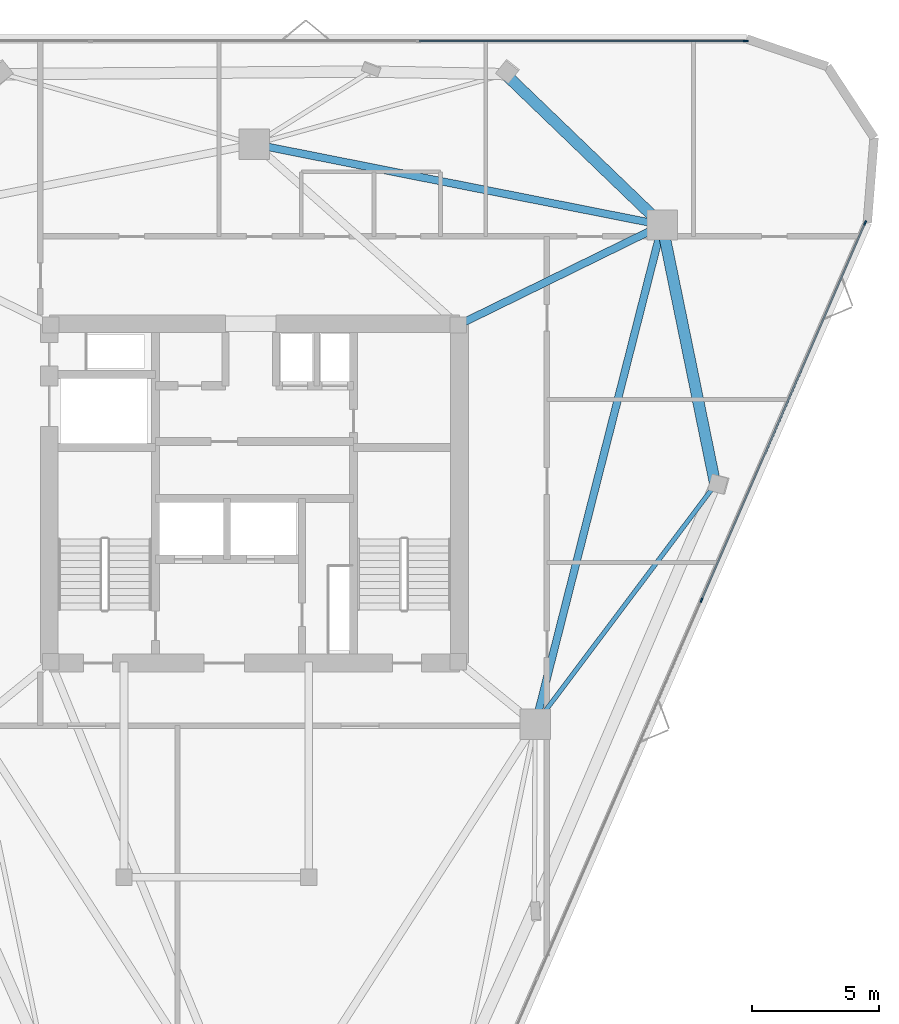
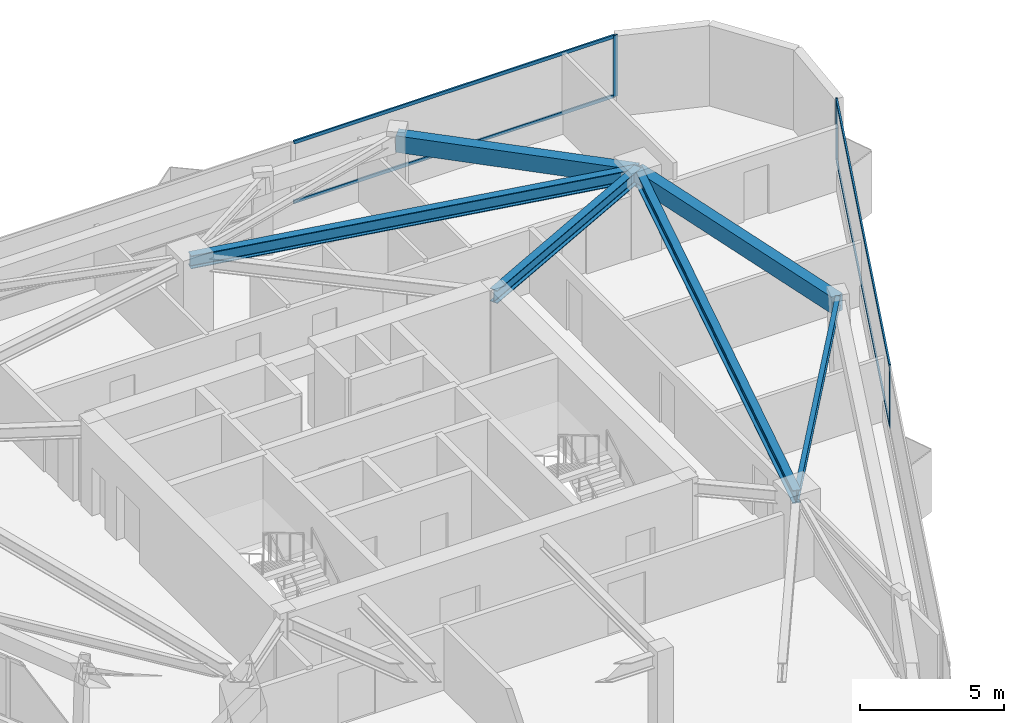
# One storey, part 6 of 10: 7 members, 6 beams, 2 elements without a shape of their own.
"""IFC4 building model written with IfcOpenShell, lengths in metres."""

from ifc_helpers import new_model, si_unit, direction, frame, origin, origin_2d, place, context, subcontext, project, spatial, rectangle, i_section, extrude, material, layer, layer_set, material_profile, profile_set, type_object, element, aggregate, save


model = new_model("IFC4")

# Units and contexts
model_context = context("Model", 3, precision=1e-05, world=origin(), true_north=direction((0.0, 1.0)))
body_context = subcontext(model_context, "Body", "Model", "MODEL_VIEW")
ifc_project = project(units=[si_unit("LENGTHUNIT", "METRE"), si_unit("AREAUNIT", "SQUARE_METRE"), si_unit("VOLUMEUNIT", "CUBIC_METRE"), si_unit("PLANEANGLEUNIT", "RADIAN"), si_unit("MASSUNIT", "GRAM", prefix="KILO")], contexts=[model_context])

# Site, building, storey
site_placement = place(None, origin())
site = spatial("IfcSite", under=ifc_project, at=site_placement, CompositionType="ELEMENT")
building_placement = place(site_placement, origin())
building = spatial("IfcBuilding", under=site, at=building_placement, Name="Talyreon Biosciences Tower", CompositionType="ELEMENT")
storey_placement = place(building_placement, frame((0.0, 0.0, 231.60009765625)))
storey = spatial("IfcBuildingStorey", under=building, at=storey_placement, Name="L61", CompositionType="ELEMENT", Elevation=231.60009765625)

# Curtain wall, member
ifc_material_1 = material(Name="Thermally broken aluminium and low-E glazing", Category="aluminium")
ifc_layer = layer(ifc_material_1, 0.175048828125)
ifc_layer_set = layer_set([ifc_layer], Name="Thermally broken aluminium and low-E glazing")
curtain_wall_type = type_object("IfcCurtainWallType", Name="CurtainWall_Zone5CompLab", PredefinedType="NOTDEFINED", material=ifc_layer_set)
curtain_wall_1_placement = place(storey_placement, origin())
curtain_wall_1 = element("IfcCurtainWall", 1, at=curtain_wall_1_placement, inside=storey, type_object=curtain_wall_type, Name="L61 Unitised Curtain Wall FCW-L61-04", PredefinedType="NOTDEFINED")
ifc_material_2 = material(Name="Anodised thermally broken aluminium", Category="aluminium")
ifc_material_profile_1 = material_profile(ifc_material_2, rectangle(XDim=0.06494140625, YDim=0.179931640625, at=origin_2d()), Name="ALUM MULLION 65x180")
ifc_profile_set_1 = profile_set([ifc_material_profile_1], Name="Anodised thermally broken aluminium")
member_type_1 = type_object("IfcMemberType", Name="CWMullion_65x180", PredefinedType="MULLION", material=ifc_profile_set_1)
member_1_placement = place(storey_placement, frame((85.402099609375, 85.87158203125, 0.809814453125), z_axis=(0.0, 0.0, 1.0), x_axis=(0.0, 1.0, 0.0)))
member_1 = element("IfcMember", 2, at=member_1_placement, type_object=member_type_1, Name="CW6 mullion 4", PredefinedType="MULLION", context=body_context, shape_type="SweptSolid", body=[
    extrude(rectangle(XDim=0.06494140625, YDim=0.179931640625, at=origin_2d()), origin(), (0.0, 0.0, 1.0), 2.590087890625),
])

# Curtain wall, members
curtain_wall_2_placement = place(storey_placement, origin())
curtain_wall_2 = element("IfcCurtainWall", 3, at=curtain_wall_2_placement, inside=storey, type_object=curtain_wall_type, Name="L61 Unitised Curtain Wall FCW-L61-08", PredefinedType="NOTDEFINED")
member_2_placement = place(storey_placement, frame((90.118408203125, 78.683349609375, 0.809814453125), z_axis=(0.0, 0.0, 1.0), x_axis=(0.917336640876, -0.398112405366, 0.0)))
member_2 = element("IfcMember", 4, at=member_2_placement, type_object=member_type_1, Name="CW6 mullion 1", PredefinedType="MULLION", context=body_context, shape_type="SweptSolid", body=[
    extrude(rectangle(XDim=0.06494140625, YDim=0.179931640625, at=origin_2d()), origin(), (0.0, 0.0, 1.0), 2.590087890625),
])
member_3_placement = place(storey_placement, frame((83.6533203125, 63.785888671875, 0.809814453125), z_axis=(0.0, 0.0, 1.0), x_axis=(0.917336640876, -0.398112405366, 0.0)))
member_3 = element("IfcMember", 5, at=member_3_placement, type_object=member_type_1, Name="CW6 mullion 2", PredefinedType="MULLION", context=body_context, shape_type="SweptSolid", body=[
    extrude(rectangle(XDim=0.06494140625, YDim=0.179931640625, at=origin_2d()), origin(), (0.0, 0.0, 1.0), 2.590087890625),
])

# Member
ifc_material_profile_2 = material_profile(ifc_material_2, rectangle(XDim=0.06494140625, YDim=0.139892578125, at=origin_2d()), Name="ALUM TRANSOM 65x140")
ifc_profile_set_2 = profile_set([ifc_material_profile_2], Name="Anodised thermally broken aluminium")
member_type_2 = type_object("IfcMemberType", Name="CWTransom_65x140", PredefinedType="USERDEFINED", material=ifc_profile_set_2)
member_4_placement = place(storey_placement, frame((72.5107421875, 85.87158203125, 0.84228515625), z_axis=(1.0, 0.0, 0.0), x_axis=(0.0, 1.0, 0.0)))
member_4 = element("IfcMember", 6, at=member_4_placement, type_object=member_type_2, Name="CW6 transom 3.1", ObjectType="TRANSOM", PredefinedType="USERDEFINED", context=body_context, shape_type="SweptSolid", body=[
    extrude(rectangle(XDim=0.06494140625, YDim=0.139892578125, at=origin_2d()), origin(), (0.0, 0.0, 1.0), 12.85888671875),
])

member_5_placement = place(storey_placement, frame((72.5107421875, 85.87158203125, 3.367431640625), z_axis=(1.0, 0.0, 0.0), x_axis=(0.0, 1.0, 0.0)))
member_5 = element("IfcMember", 7, at=member_5_placement, type_object=member_type_2, Name="CW6 transom 3.2", ObjectType="TRANSOM", PredefinedType="USERDEFINED", context=body_context, shape_type="SweptSolid", body=[
    extrude(rectangle(XDim=0.06494140625, YDim=0.139892578125, at=origin_2d()), origin(), (0.0, 0.0, 1.0), 12.85888671875),
])

aggregate(curtain_wall_1, [member_1, member_4, member_5])

member_6_placement = place(storey_placement, frame((90.10546875, 78.653564453125, 0.84228515625), z_axis=(-0.398099588732, -0.917342203025, 0.0), x_axis=(0.917342203025, -0.398099588732, 0.0)))
member_6 = element("IfcMember", 8, at=member_6_placement, type_object=member_type_2, Name="CW6 transom 1.1", ObjectType="TRANSOM", PredefinedType="USERDEFINED", context=body_context, shape_type="SweptSolid", body=[
    extrude(rectangle(XDim=0.06494140625, YDim=0.139892578125, at=origin_2d()), origin(), (0.0, 0.0, 1.0), 16.1748046875),
])

member_7_placement = place(storey_placement, frame((90.10546875, 78.653564453125, 3.367431640625), z_axis=(-0.398099588732, -0.917342203025, 0.0), x_axis=(0.917342203025, -0.398099588732, 0.0)))
member_7 = element("IfcMember", 9, at=member_7_placement, type_object=member_type_2, Name="CW6 transom 1.2", ObjectType="TRANSOM", PredefinedType="USERDEFINED", context=body_context, shape_type="SweptSolid", body=[
    extrude(rectangle(XDim=0.06494140625, YDim=0.139892578125, at=origin_2d()), origin(), (0.0, 0.0, 1.0), 16.1748046875),
])

aggregate(curtain_wall_2, [member_2, member_3, member_6, member_7])

# Beams
ifc_material_3 = material(Name="Precast concrete C45/55", Category="concrete")
ifc_material_profile_3 = material_profile(ifc_material_3, rectangle(XDim=0.449951171875, YDim=0.699951171875, at=origin_2d()), Name="RCB 450x700")
ifc_profile_set_3 = profile_set([ifc_material_profile_3], Name="Precast concrete C45/55")
beam_type_1 = type_object("IfcBeamType", Name="ExpressedSpandrel_450x700", PredefinedType="SPANDREL", material=ifc_profile_set_3)
beam_1_placement = place(storey_placement, frame((84.199462890625, 68.3505859375, 3.0498046875), z_axis=(-0.200485843973, 0.97969659914, 0.0), x_axis=(-0.97969659914, -0.200485843973, 0.0)))
element("IfcBeam", 10, at=beam_1_placement, inside=storey, type_object=beam_type_1, Name="L61 Expressed Horizontal Concrete Spandrel 04", PredefinedType="SPANDREL", context=body_context, shape_type="SweptSolid", body=[
    extrude(rectangle(XDim=0.449951171875, YDim=0.699951171875, at=origin_2d()), origin(), (0.0, 0.0, 1.0), 10.46044921875),
])
beam_2_placement = place(storey_placement, frame((82.102294921875, 78.5986328125, 3.0498046875), z_axis=(-0.720598272996, 0.693352817082, 0.0), x_axis=(-0.693352817082, -0.720598272996, 0.0)))
element("IfcBeam", 11, at=beam_2_placement, inside=storey, type_object=beam_type_1, Name="L61 Expressed Horizontal Concrete Spandrel 05", PredefinedType="SPANDREL", context=body_context, shape_type="SweptSolid", body=[
    extrude(rectangle(XDim=0.449951171875, YDim=0.699951171875, at=origin_2d()), origin(), (0.0, 0.0, 1.0), 8.593505859375),
])
ifc_material_4 = material(Name="Steel SM355", Category="steel")
ifc_material_profile_4 = material_profile(ifc_material_4, i_section(OverallWidth=0.300048828125, OverallDepth=0.550048828125, WebThickness=0.014892578125, FlangeThickness=0.029052734375, FilletRadius=0.027099609375, at=origin_2d()), Name="HE550B")
ifc_profile_set_4 = profile_set([ifc_material_profile_4], Name="Steel SM355")
beam_type_2 = type_object("IfcBeamType", Name="SteelBeam_HE550B", PredefinedType="BEAM", material=ifc_profile_set_4)
beam_3_placement = place(storey_placement, frame((77.086181640625, 58.88037109375, 3.125), z_axis=(0.246537082299, 0.969133358755, 0.0), x_axis=(-0.969133358755, 0.246537082299, 0.0)))
element("IfcBeam", 12, at=beam_3_placement, inside=storey, type_object=beam_type_2, Name="L61 Mega-Ring Girder 2", PredefinedType="BEAM", context=body_context, shape_type="SweptSolid", body=[
    extrude(i_section(OverallWidth=0.300048828125, OverallDepth=0.550048828125, WebThickness=0.014892578125, FlangeThickness=0.029052734375, FilletRadius=0.027099609375, at=origin_2d()), origin(), (0.0, 0.0, 1.0), 20.34619140625),
])
beam_4_placement = place(storey_placement, frame((82.102294921875, 78.5986328125, 3.125), z_axis=(-0.980933730698, 0.194342522311, 0.0), x_axis=(-0.194342522311, -0.980933730698, 0.0)))
element("IfcBeam", 13, at=beam_4_placement, inside=storey, type_object=beam_type_2, Name="L61 Mega-Ring Girder 3", PredefinedType="BEAM", context=body_context, shape_type="SweptSolid", body=[
    extrude(i_section(OverallWidth=0.300048828125, OverallDepth=0.550048828125, WebThickness=0.014892578125, FlangeThickness=0.029052734375, FilletRadius=0.027099609375, at=origin_2d()), origin(), (0.0, 0.0, 1.0), 16.415283203125),
])
beam_5_placement = place(storey_placement, frame((74.050048828125, 74.64990234375, 3.125), z_axis=(0.897852360314, 0.440296648952, 0.0), x_axis=(-0.440296648952, 0.897852360314, 0.0)))
element("IfcBeam", 14, at=beam_5_placement, inside=storey, type_object=beam_type_2, Name="L61 Radial Primary Girder 3", PredefinedType="BEAM", context=body_context, shape_type="SweptSolid", body=[
    extrude(i_section(OverallWidth=0.300048828125, OverallDepth=0.550048828125, WebThickness=0.014892578125, FlangeThickness=0.029052734375, FilletRadius=0.027099609375, at=origin_2d()), origin(), (0.0, 0.0, 1.0), 8.96826171875),
])
ifc_material_profile_5 = material_profile(ifc_material_4, i_section(OverallWidth=0.179931640625, OverallDepth=0.39990234375, WebThickness=0.008544921875, FlangeThickness=0.013427734375, FilletRadius=0.02099609375, at=origin_2d()), Name="IPE400")
ifc_profile_set_5 = profile_set([ifc_material_profile_5], Name="Steel SM355")
beam_type_3 = type_object("IfcBeamType", Name="SteelJoist_IPE400", PredefinedType="JOIST", material=ifc_profile_set_5)
beam_6_placement = place(storey_placement, frame((77.086181640625, 58.88037109375, 3.199951171875), z_axis=(0.600573705187, 0.799569399513, 0.0), x_axis=(-0.799569399513, 0.600573705187, 0.0)))
element("IfcBeam", 15, at=beam_6_placement, inside=storey, type_object=beam_type_3, Name="L61 Radial Composite Floor Joist PC-SE2", PredefinedType="JOIST", context=body_context, shape_type="SweptSolid", body=[
    extrude(i_section(OverallWidth=0.179931640625, OverallDepth=0.39990234375, WebThickness=0.008544921875, FlangeThickness=0.013427734375, FilletRadius=0.02099609375, at=origin_2d()), origin(), (0.0, 0.0, 1.0), 11.84423828125),
])

save(model, "model.ifc")
